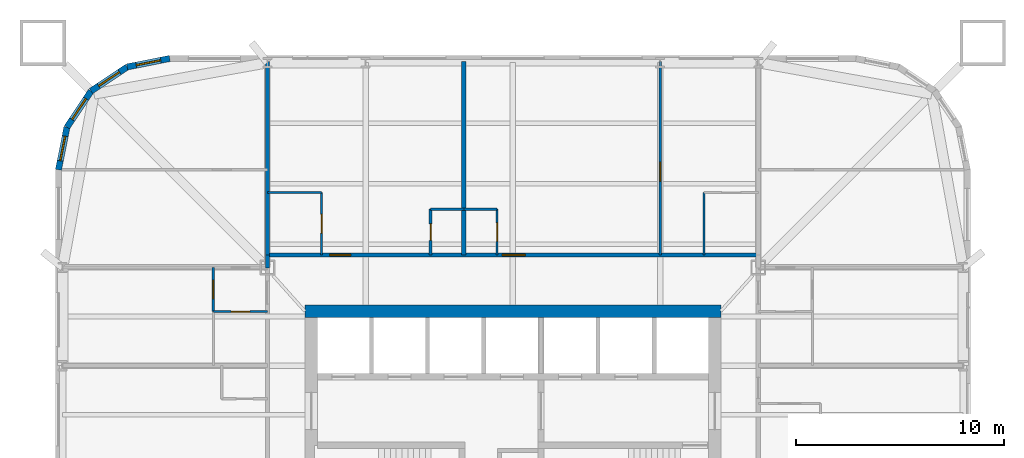
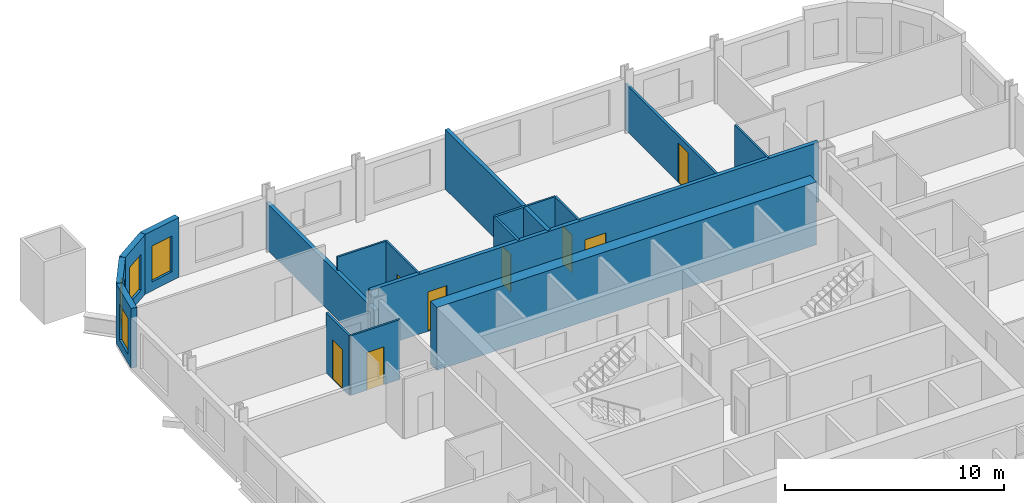
# One storey, part 7 of 10: 19 walls, 8 doors, 4 windows, 12 openings.
"""IFC4 building model written with IfcOpenShell, lengths in metres."""

from ifc_helpers import new_model, si_unit, direction, frame, frame_2d, origin, place, context, subcontext, project, spatial, rectangle, extrude, material, layer, layer_set, type_object, element, fill, save


model = new_model("IFC4")

# Units and contexts
model_context = context("Model", 3, precision=1e-05, world=origin(), true_north=direction((0.0, 1.0)))
body_context = subcontext(model_context, "Body", "Model", "MODEL_VIEW")
ifc_project = project(units=[si_unit("LENGTHUNIT", "METRE"), si_unit("AREAUNIT", "SQUARE_METRE"), si_unit("VOLUMEUNIT", "CUBIC_METRE"), si_unit("PLANEANGLEUNIT", "RADIAN"), si_unit("MASSUNIT", "GRAM", prefix="KILO")], contexts=[model_context])

# Site, building, storey
site_placement = place(None, origin())
site = spatial("IfcSite", under=ifc_project, at=site_placement, CompositionType="ELEMENT")
building_placement = place(site_placement, origin())
building = spatial("IfcBuilding", under=site, at=building_placement, Name="Turquesa Mirador Hotel Tower", CompositionType="ELEMENT")
storey_placement = place(building_placement, frame((0.0, 0.0, 39.0)))
storey = spatial("IfcBuildingStorey", under=building, at=storey_placement, Name="L09", CompositionType="ELEMENT", Elevation=39.0)

# Walls
ifc_material_1 = material(Name="Gypsum board on steel studs", Category="steel")
ifc_layer_1 = layer(ifc_material_1, 0.10009765625)
ifc_layer_set_1 = layer_set([ifc_layer_1], Name="BATHROOM WALL 100")
wall_type_1 = type_object("IfcWallType", Name="BATHROOM WALL 100", PredefinedType="PARTITIONING", material=ifc_layer_set_1)
wall_1_placement = place(storey_placement, frame((52.639892578125, 59.60009765625, 0.0), z_axis=(0.0, 0.0, 1.0), x_axis=(1.0, 0.0, 0.0)))
element("IfcWall", 1, at=wall_1_placement, inside=storey, type_object=wall_type_1, Name="Partition L09 023", PredefinedType="PARTITIONING", context=body_context, shape_type="SweptSolid", body=[
    extrude(rectangle(XDim=1.60009765625, YDim=0.10009765625, at=frame_2d((0.800048828125, 0.0))), origin(), (0.0, 0.0, 1.0), 3.330078125),
])
wall_2_placement = place(storey_placement, frame((43.199951171875, 60.39990234375, 0.0), z_axis=(0.0, 0.0, 1.0), x_axis=(1.0, 0.0, 0.0)))
element("IfcWall", 2, at=wall_2_placement, inside=storey, type_object=wall_type_1, Name="Partition L09 025", PredefinedType="PARTITIONING", context=body_context, shape_type="SweptSolid", body=[
    extrude(rectangle(XDim=2.60009765625, YDim=0.10009765625, at=frame_2d((1.300048828125, 0.0))), origin(), (0.0, 0.0, 1.0), 3.330078125),
])

# Wall, opening, door
wall_3_placement = place(storey_placement, frame((40.60009765625, 54.679931640625, 0.0), z_axis=(0.0, 0.0, 1.0), x_axis=(1.0, 0.0, 0.0)))
wall_3 = element("IfcWall", 3, at=wall_3_placement, inside=storey, type_object=wall_type_1, Name="Partition L09 034", PredefinedType="PARTITIONING", context=body_context, shape_type="SweptSolid", body=[
    extrude(rectangle(XDim=2.599853515625, YDim=0.10009765625, at=frame_2d((1.2998046875, 0.0))), origin(), (0.0, 0.0, 1.0), 3.330078125),
])
opening_1_placement = place(wall_3_placement, frame((0.85009765625, 0.0, 0.0)))
opening_1 = element("IfcOpeningElement", 4, at=opening_1_placement, cuts=wall_3, Name="Opening D02", PredefinedType="OPENING", context=body_context, shape_type="SweptSolid", body=[
    extrude(rectangle(XDim=0.89990234375, YDim=2.10009765625, at=frame_2d((0.449951171875, 1.050048828125))), frame((0.0, 0.06005859375, 0.0), z_axis=(0.0, -1.0, 0.0), x_axis=(1.0, 0.0, 0.0)), (0.0, 0.0, 1.0), 0.1201171875),
])
ifc_material_2 = material(Name="Timber veneered door", Category="wood")
door_type_1 = type_object("IfcDoorType", Name="DOOR 900X2100 EN-SUITE", OperationType="SINGLE_SWING_RIGHT", PredefinedType="DOOR", material=ifc_material_2)
door_1_placement = place(opening_1_placement, origin())
door_1 = element("IfcDoor", 5, at=door_1_placement, inside=storey, type_object=door_type_1, Name="Door 0911B", OperationType="SINGLE_SWING_RIGHT", OverallHeight=2.10009765625, OverallWidth=0.89990234375, PredefinedType="DOOR", context=body_context, shape_type="SweptSolid", body=[
    extrude(rectangle(XDim=0.89990234375, YDim=2.10009765625, at=frame_2d((0.449951171875, 1.050048828125))), frame((0.0, 0.02490234375, 0.0), z_axis=(0.0, -1.0, 0.0), x_axis=(1.0, 0.0, 0.0)), (0.0, 0.0, 1.0), 0.050048828125),
])
fill(opening_1, door_1)

wall_4_placement = place(storey_placement, frame((54.239990234375, 57.39990234375, 0.0), z_axis=(0.0, 0.0, 1.0), x_axis=(0.0, 1.0, 0.0)))
wall_4 = element("IfcWall", 6, at=wall_4_placement, inside=storey, type_object=wall_type_1, Name="Partition L09 036", PredefinedType="PARTITIONING", context=body_context, shape_type="SweptSolid", body=[
    extrude(rectangle(XDim=2.2001953125, YDim=0.10009765625, at=frame_2d((1.10009765625, 0.0))), origin(), (0.0, 0.0, 1.0), 3.330078125),
])
opening_2_placement = place(wall_4_placement, frame((0.64990234375, 0.0, 0.0)))
opening_2 = element("IfcOpeningElement", 7, at=opening_2_placement, cuts=wall_4, Name="Opening D06", PredefinedType="OPENING", context=body_context, shape_type="SweptSolid", body=[
    extrude(rectangle(XDim=0.89990234375, YDim=2.10009765625, at=frame_2d((0.449951171875, 1.050048828125))), frame((0.0, 0.06005859375, 0.0), z_axis=(0.0, -1.0, 0.0), x_axis=(1.0, 0.0, 0.0)), (0.0, 0.0, 1.0), 0.1201171875),
])
ifc_material_3 = material(Name="Laminate door", Category="wood")
door_type_2 = type_object("IfcDoorType", Name="DOOR 900X2100 WC", OperationType="SINGLE_SWING_LEFT", PredefinedType="DOOR", material=ifc_material_3)
door_2_placement = place(opening_2_placement, origin())
door_2 = element("IfcDoor", 8, at=door_2_placement, inside=storey, type_object=door_type_2, Name="Door 0902W", OperationType="SINGLE_SWING_LEFT", OverallHeight=2.10009765625, OverallWidth=0.89990234375, PredefinedType="DOOR", context=body_context, shape_type="SweptSolid", body=[
    extrude(rectangle(XDim=0.89990234375, YDim=2.10009765625, at=frame_2d((0.449951171875, 1.050048828125))), frame((0.0, 0.02490234375, 0.0), z_axis=(0.0, -1.0, 0.0), x_axis=(1.0, 0.0, 0.0)), (0.0, 0.0, 1.0), 0.050048828125),
])
fill(opening_2, door_2)

wall_5_placement = place(storey_placement, frame((45.800048828125, 57.39990234375, 0.0), z_axis=(0.0, 0.0, 1.0), x_axis=(0.0, 1.0, 0.0)))
wall_5 = element("IfcWall", 9, at=wall_5_placement, inside=storey, type_object=wall_type_1, Name="Partition L09 050", PredefinedType="PARTITIONING", context=body_context, shape_type="SweptSolid", body=[
    extrude(rectangle(XDim=3.0, YDim=0.10009765625, at=frame_2d((1.5, 0.0))), origin(), (0.0, 0.0, 1.0), 3.330078125),
])
opening_3_placement = place(wall_5_placement, frame((1.050048828125, 0.0, 0.0)))
opening_3 = element("IfcOpeningElement", 10, at=opening_3_placement, cuts=wall_5, Name="Opening D02", PredefinedType="OPENING", context=body_context, shape_type="SweptSolid", body=[
    extrude(rectangle(XDim=0.89990234375, YDim=2.10009765625, at=frame_2d((0.449951171875, 1.050048828125))), frame((0.0, 0.06005859375, 0.0), z_axis=(0.0, -1.0, 0.0), x_axis=(1.0, 0.0, 0.0)), (0.0, 0.0, 1.0), 0.1201171875),
])
door_3_placement = place(opening_3_placement, origin())
door_3 = element("IfcDoor", 11, at=door_3_placement, inside=storey, type_object=door_type_1, Name="Door 0901B", OperationType="SINGLE_SWING_RIGHT", OverallHeight=2.10009765625, OverallWidth=0.89990234375, PredefinedType="DOOR", context=body_context, shape_type="SweptSolid", body=[
    extrude(rectangle(XDim=0.89990234375, YDim=2.10009765625, at=frame_2d((0.449951171875, 1.050048828125))), frame((0.0, 0.02490234375, 0.0), z_axis=(0.0, -1.0, 0.0), x_axis=(1.0, 0.0, 0.0)), (0.0, 0.0, 1.0), 0.050048828125),
])
fill(opening_3, door_3)

# Walls
wall_6_placement = place(storey_placement, frame((64.199951171875, 57.39990234375, 0.0), z_axis=(0.0, 0.0, 1.0), x_axis=(0.0, 1.0, 0.0)))
element("IfcWall", 12, at=wall_6_placement, inside=storey, type_object=wall_type_1, Name="Partition L09 067", PredefinedType="PARTITIONING", context=body_context, shape_type="SweptSolid", body=[
    extrude(rectangle(XDim=3.0, YDim=0.10009765625, at=frame_2d((1.5, 0.0))), origin(), (0.0, 0.0, 1.0), 3.330078125),
])
ifc_material_4 = material(Name="Concrete C50/60", Category="concrete")
ifc_layer_2 = layer(ifc_material_4, 0.60009765625)
ifc_layer_set_2 = layer_set([ifc_layer_2], Name="CORE WALL 600")
wall_type_2 = type_object("IfcWallType", Name="CORE WALL 600", PredefinedType="SHEAR", material=ifc_layer_set_2)
wall_7_placement = place(storey_placement, frame((45.0, 54.699951171875, 0.0), z_axis=(0.0, 0.0, 1.0), x_axis=(1.0, 0.0, 0.0)))
element("IfcWall", 13, at=wall_7_placement, inside=storey, type_object=wall_type_2, Name="Core wall N", PredefinedType="SHEAR", context=body_context, shape_type="SweptSolid", body=[
    extrude(rectangle(XDim=20.0, YDim=0.60009765625, at=frame_2d((10.0, 0.0))), origin(), (0.0, 0.0, 1.0), 3.5),
])

# Wall, openings, doors
ifc_material_5 = material(Name="Fire-rated gypsum board on steel studs", Category="steel")
ifc_layer_3 = layer(ifc_material_5, 0.199951171875)
ifc_layer_set_3 = layer_set([ifc_layer_3], Name="CORRIDOR WALL 200")
wall_type_3 = type_object("IfcWallType", Name="CORRIDOR WALL 200", PredefinedType="PARTITIONING", material=ifc_layer_set_3)
wall_8_placement = place(storey_placement, frame((43.199951171875, 57.39990234375, 0.0), z_axis=(0.0, 0.0, 1.0), x_axis=(1.0, 0.0, 0.0)))
wall_8 = element("IfcWall", 14, at=wall_8_placement, inside=storey, type_object=wall_type_3, Name="Partition L09 022", PredefinedType="PARTITIONING", context=body_context, shape_type="SweptSolid", body=[
    extrude(rectangle(XDim=23.60009765625, YDim=0.199951171875, at=frame_2d((11.800048828125, 0.0))), origin(), (0.0, 0.0, 1.0), 3.330078125),
])
opening_4_placement = place(wall_8_placement, frame((3.0, 0.0, 0.0)))
opening_4 = element("IfcOpeningElement", 15, at=opening_4_placement, cuts=wall_8, Name="Opening D01", PredefinedType="OPENING", context=body_context, shape_type="SweptSolid", body=[
    extrude(rectangle(XDim=1.0, YDim=2.199951171875, at=frame_2d((0.5, 1.10009765625))), frame((0.0, 0.10986328125, 0.0), z_axis=(0.0, -1.0, 0.0), x_axis=(1.0, 0.0, 0.0)), (0.0, 0.0, 1.0), 0.219970703125),
])
opening_5_placement = place(wall_8_placement, frame((11.2900390625, 0.0, 0.0)))
opening_5 = element("IfcOpeningElement", 16, at=opening_5_placement, cuts=wall_8, Name="Opening D15", PredefinedType="OPENING", context=body_context, shape_type="SweptSolid", body=[
    extrude(rectangle(XDim=1.10009765625, YDim=2.199951171875, at=frame_2d((0.550048828125, 1.10009765625))), frame((0.0, 0.10986328125, 0.0), z_axis=(0.0, -1.0, 0.0), x_axis=(1.0, 0.0, 0.0)), (0.0, 0.0, 1.0), 0.219970703125),
])
ifc_material_6 = material(Name="Timber veneered fire door", Category="wood")
door_type_3 = type_object("IfcDoorType", Name="DOOR 1000X2200 GUEST ENTRY", OperationType="SINGLE_SWING_LEFT", PredefinedType="DOOR", material=ifc_material_6)
door_4_placement = place(opening_4_placement, origin())
door_4 = element("IfcDoor", 17, at=door_4_placement, inside=storey, type_object=door_type_3, Name="Door 0901", OperationType="SINGLE_SWING_LEFT", OverallHeight=2.199951171875, OverallWidth=1.0, PredefinedType="DOOR", context=body_context, shape_type="SweptSolid", body=[
    extrude(rectangle(XDim=1.0, YDim=2.199951171875, at=frame_2d((0.5, 1.10009765625))), frame((0.0, 0.02490234375, 0.0), z_axis=(0.0, -1.0, 0.0), x_axis=(1.0, 0.0, 0.0)), (0.0, 0.0, 1.0), 0.050048828125),
])
fill(opening_4, door_4)
ifc_material_7 = material(Name="Timber veneered fire door", Category="wood")
door_type_4 = type_object("IfcDoorType", Name="DOOR 1100X2200 SUITE ENTRY", OperationType="SINGLE_SWING_LEFT", PredefinedType="DOOR", material=ifc_material_7)
door_5_placement = place(opening_5_placement, origin())
door_5 = element("IfcDoor", 18, at=door_5_placement, inside=storey, type_object=door_type_4, Name="Door 0902", OperationType="SINGLE_SWING_LEFT", OverallHeight=2.199951171875, OverallWidth=1.10009765625, PredefinedType="DOOR", context=body_context, shape_type="SweptSolid", body=[
    extrude(rectangle(XDim=1.10009765625, YDim=2.199951171875, at=frame_2d((0.550048828125, 1.10009765625))), frame((0.0, 0.02490234375, 0.0), z_axis=(0.0, -1.0, 0.0), x_axis=(1.0, 0.0, 0.0)), (0.0, 0.0, 1.0), 0.050048828125),
])
fill(opening_5, door_5)

# Wall
wall_9_placement = place(storey_placement, frame((43.199951171875, 56.780029296875, 0.0), z_axis=(0.0, 0.0, 1.0), x_axis=(0.0, 1.0, 0.0)))
element("IfcWall", 19, at=wall_9_placement, inside=storey, type_object=wall_type_3, Name="Partition L09 069", PredefinedType="PARTITIONING", context=body_context, shape_type="SweptSolid", body=[
    extrude(rectangle(XDim=0.619873046875, YDim=0.199951171875, at=frame_2d((0.31005859375, 0.0))), origin(), (0.0, 0.0, 1.0), 2.572998046875),
])

# Wall, opening, window
ifc_material_8 = material(Name="Limestone cladding on concrete block", Category="masonry")
ifc_layer_4 = layer(ifc_material_8, 0.300048828125)
ifc_layer_set_4 = layer_set([ifc_layer_4], Name="FACADE WALL 300 STONE SCREEN")
wall_type_4 = type_object("IfcWallType", Name="FACADE WALL 300 STONE SCREEN", PredefinedType="SOLIDWALL", material=ifc_layer_set_4)
wall_10_placement = place(storey_placement, frame((38.5, 66.85009765625, 0.0), z_axis=(0.0, 0.0, 1.0), x_axis=(-0.980787050784, -0.195081421501, 0.0)))
wall_10 = element("IfcWall", 20, at=wall_10_placement, inside=storey, type_object=wall_type_4, Name="Facade wall L09 10", PredefinedType="SOLIDWALL", context=body_context, shape_type="SweptSolid", body=[
    extrude(rectangle(XDim=2.08740234375, YDim=0.300048828125, at=frame_2d((1.043701171875, 0.0))), origin(), (0.0, 0.0, 1.0), 3.330078125),
])
opening_6_placement = place(wall_10_placement, frame((0.443603515625, 0.0, 0.5)))
opening_6 = element("IfcOpeningElement", 21, at=opening_6_placement, cuts=wall_10, Name="Opening WN4", PredefinedType="OPENING", context=body_context, shape_type="SweptSolid", body=[
    extrude(rectangle(XDim=1.199951171875, YDim=2.0, at=frame_2d((0.60009765625, 1.0))), frame((0.0, 0.159912109375, 0.0), z_axis=(0.0, -1.0, 0.0), x_axis=(1.0, 0.0, 0.0)), (0.0, 0.0, 1.0), 0.320068359375),
])
ifc_material_9 = material(Name="Ceramic-fritted laminated glass", Category="glass")
window_type = type_object("IfcWindowType", Name="FRITTED CORNER WINDOW 1200X2000", PartitioningType="DOUBLE_PANEL_HORIZONTAL", PredefinedType="WINDOW", material=ifc_material_9)
window_1_placement = place(opening_6_placement, origin())
window_1 = element("IfcWindow", 22, at=window_1_placement, inside=storey, type_object=window_type, Name="Window L09", OverallHeight=2.0, OverallWidth=1.199951171875, PartitioningType="SINGLE_PANEL", PredefinedType="WINDOW", context=body_context, shape_type="SweptSolid", body=[
    extrude(rectangle(XDim=1.199951171875, YDim=2.0, at=frame_2d((0.60009765625, 1.0))), frame((0.0, 0.030029296875, 0.0), z_axis=(0.0, -1.0, 0.0), x_axis=(1.0, 0.0, 0.0)), (0.0, 0.0, 1.0), 0.06005859375),
])
fill(opening_6, window_1)

wall_11_placement = place(storey_placement, frame((36.45263671875, 66.44287109375, 0.0), z_axis=(0.0, 0.0, 1.0), x_axis=(-0.831420010345, -0.555644460423, 0.0)))
wall_11 = element("IfcWall", 23, at=wall_11_placement, inside=storey, type_object=wall_type_4, Name="Facade wall L09 11", PredefinedType="SOLIDWALL", context=body_context, shape_type="SweptSolid", body=[
    extrude(rectangle(XDim=2.08740234375, YDim=0.300048828125, at=frame_2d((1.043701171875, 0.0))), origin(), (0.0, 0.0, 1.0), 3.330078125),
])
opening_7_placement = place(wall_11_placement, frame((0.443603515625, 0.0, 0.5)))
opening_7 = element("IfcOpeningElement", 24, at=opening_7_placement, cuts=wall_11, Name="Opening WN4", PredefinedType="OPENING", context=body_context, shape_type="SweptSolid", body=[
    extrude(rectangle(XDim=1.199951171875, YDim=2.0, at=frame_2d((0.60009765625, 1.0))), frame((0.0, 0.159912109375, 0.0), z_axis=(0.0, -1.0, 0.0), x_axis=(1.0, 0.0, 0.0)), (0.0, 0.0, 1.0), 0.320068359375),
])
window_2_placement = place(opening_7_placement, origin())
window_2 = element("IfcWindow", 25, at=window_2_placement, inside=storey, type_object=window_type, Name="Window L09", OverallHeight=2.0, OverallWidth=1.199951171875, PartitioningType="SINGLE_PANEL", PredefinedType="WINDOW", context=body_context, shape_type="SweptSolid", body=[
    extrude(rectangle(XDim=1.199951171875, YDim=2.0, at=frame_2d((0.60009765625, 1.0))), frame((0.0, 0.030029296875, 0.0), z_axis=(0.0, -1.0, 0.0), x_axis=(1.0, 0.0, 0.0)), (0.0, 0.0, 1.0), 0.06005859375),
])
fill(opening_7, window_2)

wall_12_placement = place(storey_placement, frame((34.717041015625, 65.282958984375, 0.0), z_axis=(0.0, 0.0, 1.0), x_axis=(-0.555644460423, -0.831420010345, 0.0)))
wall_12 = element("IfcWall", 26, at=wall_12_placement, inside=storey, type_object=wall_type_4, Name="Facade wall L09 12", PredefinedType="SOLIDWALL", context=body_context, shape_type="SweptSolid", body=[
    extrude(rectangle(XDim=2.08740234375, YDim=0.300048828125, at=frame_2d((1.043701171875, 0.0))), origin(), (0.0, 0.0, 1.0), 3.330078125),
])
opening_8_placement = place(wall_12_placement, frame((0.443603515625, 0.0, 0.5)))
opening_8 = element("IfcOpeningElement", 27, at=opening_8_placement, cuts=wall_12, Name="Opening WN4", PredefinedType="OPENING", context=body_context, shape_type="SweptSolid", body=[
    extrude(rectangle(XDim=1.199951171875, YDim=2.0, at=frame_2d((0.60009765625, 1.0))), frame((0.0, 0.159912109375, 0.0), z_axis=(0.0, -1.0, 0.0), x_axis=(1.0, 0.0, 0.0)), (0.0, 0.0, 1.0), 0.320068359375),
])
window_3_placement = place(opening_8_placement, origin())
window_3 = element("IfcWindow", 28, at=window_3_placement, inside=storey, type_object=window_type, Name="Window L09", OverallHeight=2.0, OverallWidth=1.199951171875, PartitioningType="SINGLE_PANEL", PredefinedType="WINDOW", context=body_context, shape_type="SweptSolid", body=[
    extrude(rectangle(XDim=1.199951171875, YDim=2.0, at=frame_2d((0.60009765625, 1.0))), frame((0.0, 0.030029296875, 0.0), z_axis=(0.0, -1.0, 0.0), x_axis=(1.0, 0.0, 0.0)), (0.0, 0.0, 1.0), 0.06005859375),
])
fill(opening_8, window_3)

wall_13_placement = place(storey_placement, frame((33.55712890625, 63.54736328125, 0.0), z_axis=(0.0, 0.0, 1.0), x_axis=(-0.195081421501, -0.980787050784, 0.0)))
wall_13 = element("IfcWall", 29, at=wall_13_placement, inside=storey, type_object=wall_type_4, Name="Facade wall L09 13", PredefinedType="SOLIDWALL", context=body_context, shape_type="SweptSolid", body=[
    extrude(rectangle(XDim=2.08740234375, YDim=0.300048828125, at=frame_2d((1.043701171875, 0.0))), origin(), (0.0, 0.0, 1.0), 3.330078125),
])
opening_9_placement = place(wall_13_placement, frame((0.443603515625, 0.0, 0.5)))
opening_9 = element("IfcOpeningElement", 30, at=opening_9_placement, cuts=wall_13, Name="Opening WN4", PredefinedType="OPENING", context=body_context, shape_type="SweptSolid", body=[
    extrude(rectangle(XDim=1.199951171875, YDim=2.0, at=frame_2d((0.60009765625, 1.0))), frame((0.0, 0.159912109375, 0.0), z_axis=(0.0, -1.0, 0.0), x_axis=(1.0, 0.0, 0.0)), (0.0, 0.0, 1.0), 0.320068359375),
])
window_4_placement = place(opening_9_placement, origin())
window_4 = element("IfcWindow", 31, at=window_4_placement, inside=storey, type_object=window_type, Name="Window L09", OverallHeight=2.0, OverallWidth=1.199951171875, PartitioningType="SINGLE_PANEL", PredefinedType="WINDOW", context=body_context, shape_type="SweptSolid", body=[
    extrude(rectangle(XDim=1.199951171875, YDim=2.0, at=frame_2d((0.60009765625, 1.0))), frame((0.0, 0.030029296875, 0.0), z_axis=(0.0, -1.0, 0.0), x_axis=(1.0, 0.0, 0.0)), (0.0, 0.0, 1.0), 0.06005859375),
])
fill(opening_9, window_4)

# Walls
ifc_material_10 = material(Name="Fire-rated gypsum board on steel studs", Category="steel")
ifc_layer_5 = layer(ifc_material_10, 0.199951171875)
ifc_layer_set_5 = layer_set([ifc_layer_5], Name="PARTY WALL 200")
wall_type_5 = type_object("IfcWallType", Name="PARTY WALL 200", PredefinedType="PARTITIONING", material=ifc_layer_set_5)
wall_14_placement = place(storey_placement, frame((43.199951171875, 57.39990234375, 0.0), z_axis=(0.0, 0.0, 1.0), x_axis=(0.0, 1.0, 0.0)))
element("IfcWall", 32, at=wall_14_placement, inside=storey, type_object=wall_type_5, Name="Partition L09 039", PredefinedType="PARTITIONING", context=body_context, shape_type="SweptSolid", body=[
    extrude(rectangle(XDim=9.300048828125, YDim=0.199951171875, at=frame_2d((4.64990234375, 0.0))), origin(), (0.0, 0.0, 1.0), 2.572998046875),
])
wall_15_placement = place(storey_placement, frame((52.639892578125, 57.39990234375, 0.0), z_axis=(0.0, 0.0, 1.0), x_axis=(0.0, 1.0, 0.0)))
element("IfcWall", 33, at=wall_15_placement, inside=storey, type_object=wall_type_5, Name="Partition L09 046", PredefinedType="PARTITIONING", context=body_context, shape_type="SweptSolid", body=[
    extrude(rectangle(XDim=9.300048828125, YDim=0.199951171875, at=frame_2d((4.64990234375, 0.0))), origin(), (0.0, 0.0, 1.0), 3.330078125),
])
ifc_material_11 = material(Name="Acoustic gypsum board on steel studs", Category="steel")
ifc_layer_6 = layer(ifc_material_11, 0.125)
ifc_layer_set_6 = layer_set([ifc_layer_6], Name="SUITE PARTITION 125")
wall_type_6 = type_object("IfcWallType", Name="SUITE PARTITION 125", PredefinedType="PARTITIONING", material=ifc_layer_set_6)
wall_16_placement = place(storey_placement, frame((51.0400390625, 59.60009765625, 0.0), z_axis=(0.0, 0.0, 1.0), x_axis=(1.0, 0.0, 0.0)))
element("IfcWall", 34, at=wall_16_placement, inside=storey, type_object=wall_type_6, Name="Partition L09 024", PredefinedType="PARTITIONING", context=body_context, shape_type="SweptSolid", body=[
    extrude(rectangle(XDim=1.599853515625, YDim=0.125, at=frame_2d((0.7998046875, 0.0))), origin(), (0.0, 0.0, 1.0), 3.330078125),
])

# Wall, opening, door
wall_17_placement = place(storey_placement, frame((40.60009765625, 54.679931640625, 0.0), z_axis=(0.0, 0.0, 1.0), x_axis=(0.0, 1.0, 0.0)))
wall_17 = element("IfcWall", 35, at=wall_17_placement, inside=storey, type_object=wall_type_6, Name="Partition L09 044", PredefinedType="PARTITIONING", context=body_context, shape_type="SweptSolid", body=[
    extrude(rectangle(XDim=2.1201171875, YDim=0.125, at=frame_2d((1.06005859375, 0.0))), origin(), (0.0, 0.0, 1.0), 3.330078125),
])
opening_10_placement = place(wall_17_placement, frame((0.610107421875, 0.0, 0.0)))
opening_10 = element("IfcOpeningElement", 36, at=opening_10_placement, cuts=wall_17, Name="Opening D17", PredefinedType="OPENING", context=body_context, shape_type="SweptSolid", body=[
    extrude(rectangle(XDim=0.89990234375, YDim=2.199951171875, at=frame_2d((0.449951171875, 1.10009765625))), frame((0.0, 0.072509765625, 0.0), z_axis=(0.0, -1.0, 0.0), x_axis=(1.0, 0.0, 0.0)), (0.0, 0.0, 1.0), 0.14501953125),
])
ifc_material_12 = material(Name="Timber veneered door", Category="wood")
door_type_5 = type_object("IfcDoorType", Name="DOOR 900X2200 SUITE INTERNAL", OperationType="SINGLE_SWING_LEFT", PredefinedType="DOOR", material=ifc_material_12)
door_6_placement = place(opening_10_placement, origin())
door_6 = element("IfcDoor", 37, at=door_6_placement, inside=storey, type_object=door_type_5, Name="Door 0911R", OperationType="SINGLE_SWING_LEFT", OverallHeight=2.199951171875, OverallWidth=0.89990234375, PredefinedType="DOOR", context=body_context, shape_type="SweptSolid", body=[
    extrude(rectangle(XDim=0.89990234375, YDim=2.199951171875, at=frame_2d((0.449951171875, 1.10009765625))), frame((0.0, 0.02490234375, 0.0), z_axis=(0.0, -1.0, 0.0), x_axis=(1.0, 0.0, 0.0)), (0.0, 0.0, 1.0), 0.050048828125),
])
fill(opening_10, door_6)

wall_18_placement = place(storey_placement, frame((51.0400390625, 57.39990234375, 0.0), z_axis=(0.0, 0.0, 1.0), x_axis=(0.0, 1.0, 0.0)))
wall_18 = element("IfcWall", 38, at=wall_18_placement, inside=storey, type_object=wall_type_6, Name="Partition L09 047", PredefinedType="PARTITIONING", context=body_context, shape_type="SweptSolid", body=[
    extrude(rectangle(XDim=2.2001953125, YDim=0.125, at=frame_2d((1.10009765625, 0.0))), origin(), (0.0, 0.0, 1.0), 3.330078125),
])
opening_11_placement = place(wall_18_placement, frame((0.699951171875, 0.0, 0.0)))
opening_11 = element("IfcOpeningElement", 39, at=opening_11_placement, cuts=wall_18, Name="Opening D20", PredefinedType="OPENING", context=body_context, shape_type="SweptSolid", body=[
    extrude(rectangle(XDim=0.800048828125, YDim=2.10009765625, at=frame_2d((0.39990234375, 1.050048828125))), frame((0.0, 0.072509765625, 0.0), z_axis=(0.0, -1.0, 0.0), x_axis=(1.0, 0.0, 0.0)), (0.0, 0.0, 1.0), 0.14501953125),
])
ifc_material_13 = material(Name="Timber veneered sliding door", Category="wood")
door_type_6 = type_object("IfcDoorType", Name="DOOR 800X2100 WARDROBE", OperationType="SLIDING_TO_LEFT", PredefinedType="DOOR", material=ifc_material_13)
door_7_placement = place(opening_11_placement, origin())
door_7 = element("IfcDoor", 40, at=door_7_placement, inside=storey, type_object=door_type_6, Name="Door 0901W", OperationType="SLIDING_TO_LEFT", OverallHeight=2.10009765625, OverallWidth=0.800048828125, PredefinedType="DOOR", context=body_context, shape_type="SweptSolid", body=[
    extrude(rectangle(XDim=0.800048828125, YDim=2.10009765625, at=frame_2d((0.39990234375, 1.050048828125))), frame((0.0, 0.02490234375, 0.0), z_axis=(0.0, -1.0, 0.0), x_axis=(1.0, 0.0, 0.0)), (0.0, 0.0, 1.0), 0.050048828125),
])
fill(opening_11, door_7)

wall_19_placement = place(storey_placement, frame((62.080078125, 57.39990234375, 0.0), z_axis=(0.0, 0.0, 1.0), x_axis=(0.0, 1.0, 0.0)))
wall_19 = element("IfcWall", 41, at=wall_19_placement, inside=storey, type_object=wall_type_6, Name="Partition L09 065", PredefinedType="PARTITIONING", context=body_context, shape_type="SweptSolid", body=[
    extrude(rectangle(XDim=9.300048828125, YDim=0.125, at=frame_2d((4.64990234375, 0.0))), origin(), (0.0, 0.0, 1.0), 2.572998046875),
])
opening_12_placement = place(wall_19_placement, frame((3.550048828125, 0.0, 0.0)))
opening_12 = element("IfcOpeningElement", 42, at=opening_12_placement, cuts=wall_19, Name="Opening D17", PredefinedType="OPENING", context=body_context, shape_type="SweptSolid", body=[
    extrude(rectangle(XDim=0.89990234375, YDim=2.199951171875, at=frame_2d((0.449951171875, 1.10009765625))), frame((0.0, 0.072509765625, 0.0), z_axis=(0.0, -1.0, 0.0), x_axis=(1.0, 0.0, 0.0)), (0.0, 0.0, 1.0), 0.14501953125),
])
door_8_placement = place(opening_12_placement, origin())
door_8 = element("IfcDoor", 43, at=door_8_placement, inside=storey, type_object=door_type_5, Name="Door 0902R", OperationType="SINGLE_SWING_LEFT", OverallHeight=2.199951171875, OverallWidth=0.89990234375, PredefinedType="DOOR", context=body_context, shape_type="SweptSolid", body=[
    extrude(rectangle(XDim=0.89990234375, YDim=2.199951171875, at=frame_2d((0.449951171875, 1.10009765625))), frame((0.0, 0.02490234375, 0.0), z_axis=(0.0, -1.0, 0.0), x_axis=(1.0, 0.0, 0.0)), (0.0, 0.0, 1.0), 0.050048828125),
])
fill(opening_12, door_8)

save(model, "model.ifc")
